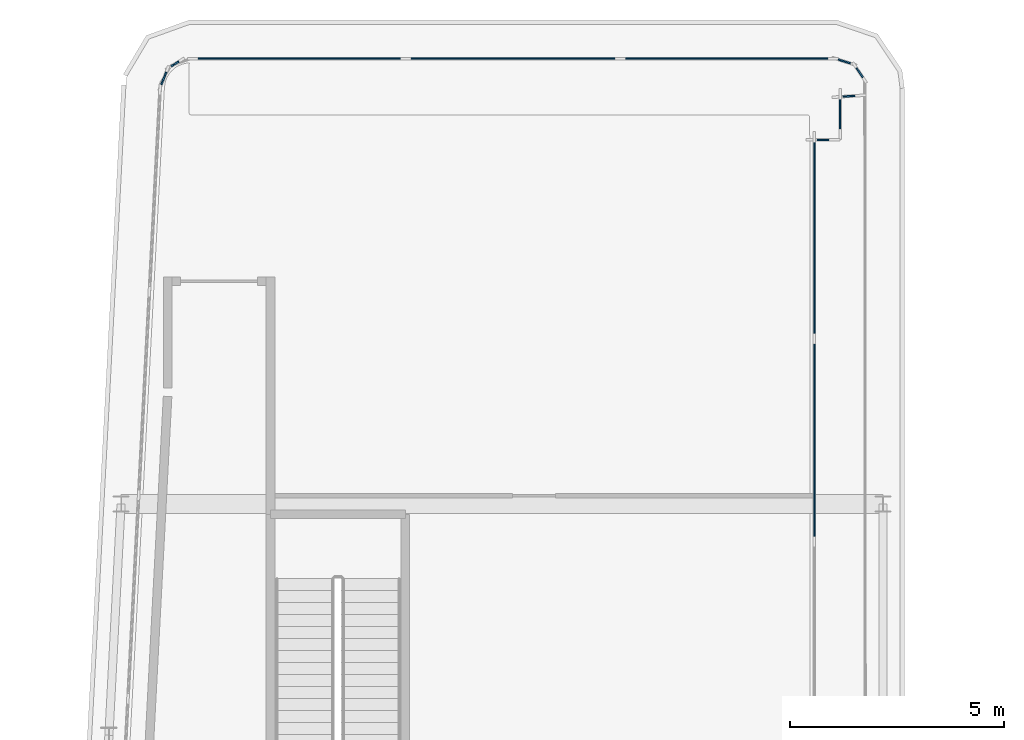
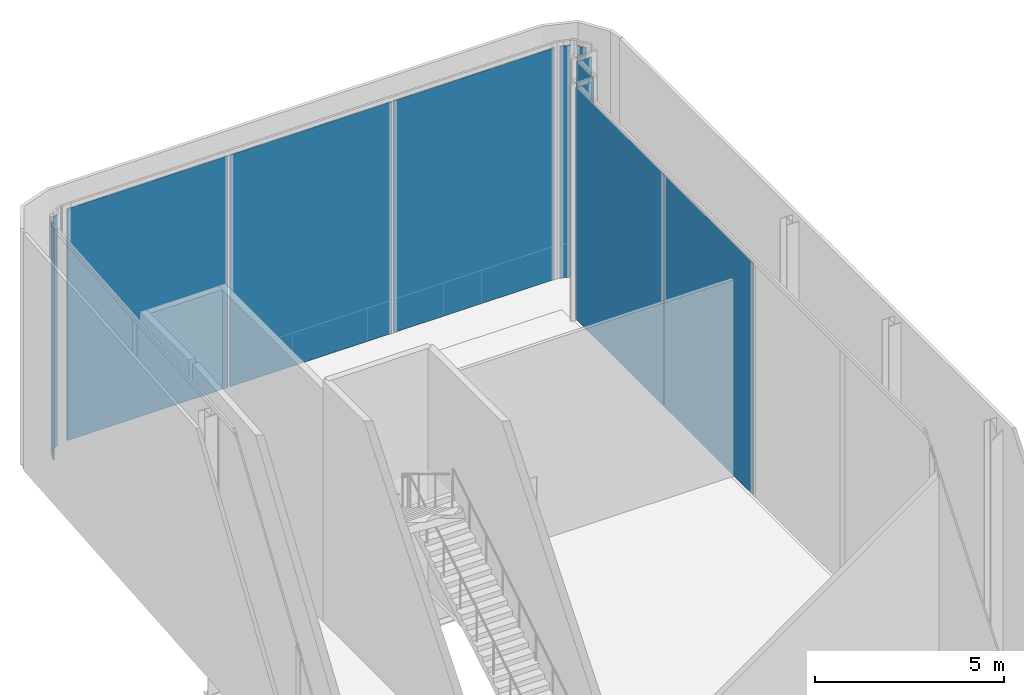
# One storey, part 15 of 23: 12 plates, 9 elements without a shape of their own.
"""IFC4 building model written with IfcOpenShell, lengths in metres."""

import ifcopenshell
import ifcopenshell.guid

model = None  # the IFC model being written
_history = None  # IfcOwnerHistory: only IFC2X3 demands one
_inside = {}  # id of a spatial element -> (the spatial element, [elements in it])
_under = {}  # id of a project, library or spatial element -> (it, [spatial elements below it])
_declared = {}  # id of a project -> (the project, [libraries it declares])
_typed = {}  # id of a type object -> (the type object, [elements of that type])
_made_of = {}  # id of a material, layer set ... -> (it, [elements and type objects made of it])


def new_model(schema):
    """Start an empty IFC model of exactly this schema.

    Asked for "IFC4X3", IfcOpenShell would pick the latest addendum, in which some entities
    have other attributes; the version numbers below select the first issue.
    IFC2X3 requires an IfcOwnerHistory on every rooted entity: one is made here for all.
    """
    global model, _history
    if schema == "IFC4X3":
        model = ifcopenshell.file(schema_version=(4, 3, 0, 0))
    else:
        model = ifcopenshell.file(schema=schema)
    _inside.clear()
    _under.clear()
    _declared.clear()
    _typed.clear()
    _made_of.clear()
    _history = None
    if model.schema == "IFC2X3":
        org = make("IfcOrganization", Name="unknown")
        user = make(
            "IfcPersonAndOrganization",
            ThePerson=make("IfcPerson", FamilyName="unknown"),
            TheOrganization=org,
        )
        app = make(
            "IfcApplication",
            ApplicationDeveloper=org,
            Version="unknown",
            ApplicationFullName="unknown",
            ApplicationIdentifier="unknown",
        )
        _history = make(
            "IfcOwnerHistory",
            OwningUser=user,
            OwningApplication=app,
            ChangeAction="ADDED",
            CreationDate=0,
        )
    return model


def make(cls, **values):
    """One entity of the class cls with the attributes given. An attribute that is None is left unset."""
    return model.create_entity(
        cls, **{name: value for name, value in values.items() if value is not None}
    )


def rooted(cls, **values):
    """An entity with a GlobalId (a new one), such as an element, a storey or a relation."""
    return make(cls, GlobalId=ifcopenshell.guid.new(), OwnerHistory=_history, **values)


def si_unit(unit_type, name, prefix=None):
    """IfcSIUnit, for example si_unit("LENGTHUNIT", "METRE", prefix="MILLI")."""
    return make("IfcSIUnit", UnitType=unit_type, Prefix=prefix, Name=name)


def assignment(units):
    """IfcUnitAssignment: the units of a project."""
    return None if units is None else make("IfcUnitAssignment", Units=units)


def point(xyz):
    """IfcCartesianPoint."""
    return None if xyz is None else make("IfcCartesianPoint", Coordinates=xyz)


def direction(xyz):
    """IfcDirection."""
    return None if xyz is None else make("IfcDirection", DirectionRatios=xyz)


def frame(location, z_axis=None, x_axis=None):
    """IfcAxis2Placement3D, a coordinate frame: its origin and axes. An axis left out is left unset."""
    return make(
        "IfcAxis2Placement3D",
        Location=point(location),
        Axis=direction(z_axis),
        RefDirection=direction(x_axis),
    )


def frame_2d(location, x_axis=None):
    """IfcAxis2Placement2D, a coordinate frame in the plane: its origin and x axis."""
    return make(
        "IfcAxis2Placement2D", Location=point(location), RefDirection=direction(x_axis)
    )


def origin():
    """The frame at (0, 0, 0) with its axes left unset."""
    return frame((0.0, 0.0, 0.0))


def origin_2d():
    """The frame at (0, 0) in the plane with its x axis left unset."""
    return frame_2d((0.0, 0.0))


def place(relative_to, where):
    """IfcLocalPlacement: puts the frame where relative to a parent placement (None: the world)."""
    return make(
        "IfcLocalPlacement", PlacementRelTo=relative_to, RelativePlacement=where
    )


def context(
    kind, dimensions, precision=None, world=None, true_north=None, identifier=None
):
    """IfcGeometricRepresentationContext, for example the 3D "Model" context."""
    return make(
        "IfcGeometricRepresentationContext",
        ContextIdentifier=identifier,
        ContextType=kind,
        CoordinateSpaceDimension=dimensions,
        Precision=precision,
        WorldCoordinateSystem=world,
        TrueNorth=true_north,
    )


def subcontext(parent, identifier, kind, view, scale=None):
    """IfcGeometricRepresentationSubContext, for example "Body" below "Model"."""
    return make(
        "IfcGeometricRepresentationSubContext",
        ContextIdentifier=identifier,
        ContextType=kind,
        ParentContext=parent,
        TargetScale=scale,
        TargetView=view,
    )


def project(units=None, contexts=None):
    """IfcProject with its units and contexts."""
    return rooted(
        "IfcProject",
        Name="project",
        RepresentationContexts=contexts,
        UnitsInContext=assignment(units),
    )


def spatial(cls, under=None, at=None, **own):
    """A site, building, storey or space (cls), placed at a placement, below another one or the project."""
    s = rooted(cls, ObjectPlacement=at, **own)
    if under is not None:
        _under.setdefault(under.id(), (under, []))[1].append(s)
    return s


def profile(cls, at=None, kind="AREA", **sizes):
    """A parametric profile (cls). Its sizes go by their IFC names, for example OverallWidth=200.0."""
    return make(cls, ProfileType=kind, Position=at, **sizes)


def rectangle(**sizes):
    """IfcRectangleProfileDef."""
    return profile("IfcRectangleProfileDef", **sizes)


def extrude(swept, where, along, depth):
    """IfcExtrudedAreaSolid: the profile swept, set in the frame where, extruded along a direction by depth."""
    return make(
        "IfcExtrudedAreaSolid",
        SweptArea=swept,
        Position=where,
        ExtrudedDirection=direction(along),
        Depth=depth,
    )


def shape(context_of_items, identifier, shape_type, items):
    """IfcShapeRepresentation: the items that make up one representation, for example the "Body"."""
    return make(
        "IfcShapeRepresentation",
        ContextOfItems=context_of_items,
        RepresentationIdentifier=identifier,
        RepresentationType=shape_type,
        Items=items,
    )


def material(Name=None, Category=None):
    """IfcMaterial."""
    return make("IfcMaterial", Name=Name, Category=Category)


def layer(
    of_material, thickness, ventilated=None, Name=None, Category=None, Priority=None
):
    """IfcMaterialLayer: one layer of a wall or slab, of a material (None: an air gap)."""
    return make(
        "IfcMaterialLayer",
        Material=of_material,
        LayerThickness=thickness,
        IsVentilated=ventilated,
        Name=Name,
        Category=Category,
        Priority=Priority,
    )


def layer_set(layers, Name=None):
    """IfcMaterialLayerSet."""
    return make("IfcMaterialLayerSet", MaterialLayers=layers, LayerSetName=Name)


def made_of(thing, what):
    """Note that an element or type object is made of a material, layer set ...; save() writes the relation."""
    if what is not None:
        _made_of.setdefault(what.id(), (what, []))[1].append(thing)
    return thing


def type_object(cls, material=None, **own):
    """A type object (cls), such as IfcWallType, which elements share."""
    return made_of(rooted(cls, **own), material)


def element(
    cls,
    number,
    at=None,
    inside=None,
    cuts=None,
    type_object=None,
    material=None,
    context=None,
    identifier="Body",
    shape_type=None,
    held_by="IfcProductDefinitionShape",
    body=None,
    shapes=None,
    **own,
):
    """One element of the class cls, such as IfcWall. Its Tag is "e" and its number.

    at: its placement. inside: the storey or other place that contains it. cuts: it is an
    opening in that element (IfcRelVoidsElement). A single representation is given by context,
    identifier, shape_type and body (its items); several are given by shapes. held_by: the class
    of the entity that holds the representations. save() writes the other relations.
    """
    e = rooted(cls, Tag="e%d" % number, ObjectPlacement=at, **own)
    if body is not None:
        shapes = [shape(context, identifier, shape_type, body)]
    if shapes is not None:
        e.Representation = make(held_by, Representations=shapes)
    if inside is not None:
        _inside.setdefault(inside.id(), (inside, []))[1].append(e)
    if cuts is not None:
        rooted(
            "IfcRelVoidsElement", RelatingBuildingElement=cuts, RelatedOpeningElement=e
        )
    if type_object is not None:
        _typed.setdefault(type_object.id(), (type_object, []))[1].append(e)
    return made_of(e, material)


def aggregate(whole, parts):
    """IfcRelAggregates: a whole, such as a stair, and the parts it consists of."""
    return rooted("IfcRelAggregates", RelatingObject=whole, RelatedObjects=parts)


def save(model, path):
    """Write the relations noted so far, then the file.

    IfcRelAggregates (storeys below a building ...), IfcRelContainedInSpatialStructure (elements
    in a storey), IfcRelDefinesByType, IfcRelAssociatesMaterial and IfcRelDeclares: one each for
    every whole, place, type object, material and project.
    """
    for whole, parts in _under.values():
        aggregate(whole, parts)
    for where, things in _inside.values():
        rooted(
            "IfcRelContainedInSpatialStructure",
            RelatedElements=things,
            RelatingStructure=where,
        )
    for kind, things in _typed.values():
        rooted("IfcRelDefinesByType", RelatedObjects=things, RelatingType=kind)
    for what, things in _made_of.values():
        rooted("IfcRelAssociatesMaterial", RelatedObjects=things, RelatingMaterial=what)
    for by, libraries in _declared.values():
        rooted("IfcRelDeclares", RelatingContext=by, RelatedDefinitions=libraries)
    model.write(path)


model = new_model("IFC4")

# Units and contexts
model_context = context("Model", 3, precision=1e-05, world=origin(), true_north=direction((0.0, 1.0)))
body_context = subcontext(model_context, "Body", "Model", "MODEL_VIEW")
ifc_project = project(units=[si_unit("LENGTHUNIT", "METRE"), si_unit("AREAUNIT", "SQUARE_METRE"), si_unit("VOLUMEUNIT", "CUBIC_METRE"), si_unit("PLANEANGLEUNIT", "RADIAN"), si_unit("MASSUNIT", "GRAM", prefix="KILO")], contexts=[model_context])

# Site, building, storey
site_placement = place(None, origin())
site = spatial("IfcSite", under=ifc_project, at=site_placement, CompositionType="ELEMENT")
building_placement = place(site_placement, origin())
building = spatial("IfcBuilding", under=site, at=building_placement, Name="Kheshtan School and Residences Tower", CompositionType="ELEMENT")
storey_placement = place(building_placement, frame((0.0, 0.0, 389.0)))
storey = spatial("IfcBuildingStorey", under=building, at=storey_placement, Name="L92", CompositionType="ELEMENT", Elevation=389.0)

# Curtain wall, plates
ifc_material = material(Name="Clear low-e glass in thermally broken aluminium frame", Category="aluminium")
ifc_layer_1 = layer(ifc_material, 0.25)
ifc_layer_set_1 = layer_set([ifc_layer_1], Name="Curtain wall CW-G")
curtain_wall_type_1 = type_object("IfcCurtainWallType", Name="Curtain wall CW-G", PredefinedType="NOTDEFINED", material=ifc_layer_set_1)
curtain_wall_1_placement = place(storey_placement, origin())
curtain_wall_1 = element("IfcCurtainWall", 1, at=curtain_wall_1_placement, inside=storey, type_object=curtain_wall_type_1, Name="Curtain wall CWG19b", PredefinedType="NOTDEFINED")
ifc_layer_2 = layer(ifc_material, 0.0380859375)
ifc_layer_set_2 = layer_set([ifc_layer_2], Name="CW-G glass panel")
plate_type_1 = type_object("IfcPlateType", Name="CW-G glass panel", PredefinedType="CURTAIN_PANEL", material=ifc_layer_set_2)
plate_1_placement = place(storey_placement, frame((46.0, 95.014892578125, 0.0), z_axis=(0.0, 0.0, 1.0), x_axis=(0.0, -1.0, 0.0)))
plate_1 = element("IfcPlate", 2, at=plate_1_placement, type_object=plate_type_1, Name="CWG19b panel 1.1", PredefinedType="CURTAIN_PANEL", context=body_context, shape_type="SweptSolid", body=[
    extrude(rectangle(XDim=4.64990234375, YDim=0.0380859375, at=origin_2d()), origin(), (0.0, 0.0, 1.0), 7.489990234375),
])
plate_2_placement = place(storey_placement, frame((46.0, 90.2900390625, 0.0), z_axis=(0.0, 0.0, 1.0), x_axis=(0.0, -1.0, 0.0)))
plate_2 = element("IfcPlate", 3, at=plate_2_placement, type_object=plate_type_1, Name="CWG19b panel 2.1", PredefinedType="CURTAIN_PANEL", context=body_context, shape_type="SweptSolid", body=[
    extrude(rectangle(XDim=4.679931640625, YDim=0.0380859375, at=origin_2d()), origin(), (0.0, 0.0, 1.0), 7.489990234375),
])
aggregate(curtain_wall_1, [plate_1, plate_2])

# Curtain wall, plate
ifc_layer_3 = layer(ifc_material, 0.25)
ifc_layer_set_3 = layer_set([ifc_layer_3], Name="Curtain wall CW-K")
curtain_wall_type_2 = type_object("IfcCurtainWallType", Name="Curtain wall CW-K", PredefinedType="NOTDEFINED", material=ifc_layer_set_3)
curtain_wall_2_placement = place(storey_placement, origin())
curtain_wall_2 = element("IfcCurtainWall", 4, at=curtain_wall_2_placement, inside=storey, type_object=curtain_wall_type_2, Name="Curtain wall CWK11a", PredefinedType="NOTDEFINED")
ifc_layer_4 = layer(ifc_material, 0.0380859375)
ifc_layer_set_4 = layer_set([ifc_layer_4], Name="CW-K glass panel")
plate_type_2 = type_object("IfcPlateType", Name="CW-K glass panel", PredefinedType="CURTAIN_PANEL", material=ifc_layer_set_4)
plate_3_placement = place(storey_placement, frame((30.8095703125, 98.739501953125, 0.0), z_axis=(0.0, 0.0, 1.0), x_axis=(0.370993348125, 0.928635523576, 0.0)))
plate_3 = element("IfcPlate", 5, at=plate_3_placement, type_object=plate_type_2, Name="CWK11a panel 1.1", PredefinedType="CURTAIN_PANEL", context=body_context, shape_type="SweptSolid", body=[
    extrude(rectangle(XDim=0.31396484375, YDim=0.0380859375, at=origin_2d()), origin(), (0.0, 0.0, 1.0), 7.489990234375),
])
aggregate(curtain_wall_2, [plate_3])

curtain_wall_3_placement = place(storey_placement, origin())
curtain_wall_3 = element("IfcCurtainWall", 6, at=curtain_wall_3_placement, inside=storey, type_object=curtain_wall_type_2, Name="Curtain wall CWK12a", PredefinedType="NOTDEFINED")
plate_4_placement = place(storey_placement, frame((31.069580078125, 99.07470703125, 0.0), z_axis=(0.0, 0.0, 1.0), x_axis=(0.851763497749, 0.52392646803, 0.0)))
plate_4 = element("IfcPlate", 7, at=plate_4_placement, type_object=plate_type_2, Name="CWK12a panel 1.1", PredefinedType="CURTAIN_PANEL", context=body_context, shape_type="SweptSolid", body=[
    extrude(rectangle(XDim=0.206298828125, YDim=0.0380859375, at=origin_2d()), origin(), (0.0, 0.0, 1.0), 7.489990234375),
])
aggregate(curtain_wall_3, [plate_4])

# Curtain wall, plates
curtain_wall_4_placement = place(storey_placement, origin())
curtain_wall_4 = element("IfcCurtainWall", 8, at=curtain_wall_4_placement, inside=storey, type_object=curtain_wall_type_2, Name="Curtain wall CWK13a", PredefinedType="NOTDEFINED")
plate_5_placement = place(storey_placement, frame((33.9716796875, 99.199951171875, 0.0), z_axis=(0.0, 0.0, 1.0), x_axis=(1.0, 0.0, 0.0)))
plate_5 = element("IfcPlate", 9, at=plate_5_placement, type_object=plate_type_2, Name="CWK13a panel 1.1", PredefinedType="CURTAIN_PANEL", context=body_context, shape_type="SweptSolid", body=[
    extrude(rectangle(XDim=4.915283203125, YDim=0.0380859375, at=origin_2d()), origin(), (0.0, 0.0, 1.0), 7.489990234375),
])
plate_6_placement = place(storey_placement, frame((38.9619140625, 99.199951171875, 0.0), z_axis=(0.0, 0.0, 1.0), x_axis=(1.0, 0.0, 0.0)))
plate_6 = element("IfcPlate", 10, at=plate_6_placement, type_object=plate_type_2, Name="CWK13a panel 2.1", PredefinedType="CURTAIN_PANEL", context=body_context, shape_type="SweptSolid", body=[
    extrude(rectangle(XDim=4.9453125, YDim=0.0380859375, at=origin_2d()), origin(), (0.0, 0.0, 1.0), 7.489990234375),
])
plate_7_placement = place(storey_placement, frame((43.952392578125, 99.199951171875, 0.0), z_axis=(0.0, 0.0, 1.0), x_axis=(1.0, 0.0, 0.0)))
plate_7 = element("IfcPlate", 11, at=plate_7_placement, type_object=plate_type_2, Name="CWK13a panel 3.1", PredefinedType="CURTAIN_PANEL", context=body_context, shape_type="SweptSolid", body=[
    extrude(rectangle(XDim=4.915283203125, YDim=0.0380859375, at=origin_2d()), origin(), (0.0, 0.0, 1.0), 7.489990234375),
])
aggregate(curtain_wall_4, [plate_5, plate_6, plate_7])

# Curtain wall, plate
curtain_wall_5_placement = place(storey_placement, origin())
curtain_wall_5 = element("IfcCurtainWall", 12, at=curtain_wall_5_placement, inside=storey, type_object=curtain_wall_type_2, Name="Curtain wall CWK14a", PredefinedType="NOTDEFINED")
plate_8_placement = place(storey_placement, frame((46.697998046875, 99.13232421875, 0.0), z_axis=(0.0, 0.0, 1.0), x_axis=(0.952703792543, -0.303900450271, 0.0)))
plate_8 = element("IfcPlate", 13, at=plate_8_placement, type_object=plate_type_2, Name="CWK14a panel 1.1", PredefinedType="CURTAIN_PANEL", context=body_context, shape_type="SweptSolid", body=[
    extrude(rectangle(XDim=0.294677734375, YDim=0.0380859375, at=origin_2d()), origin(), (0.0, 0.0, 1.0), 7.489990234375),
])
aggregate(curtain_wall_5, [plate_8])

curtain_wall_6_placement = place(storey_placement, origin())
curtain_wall_6 = element("IfcCurtainWall", 14, at=curtain_wall_6_placement, inside=storey, type_object=curtain_wall_type_2, Name="Curtain wall CWK15a", PredefinedType="NOTDEFINED")
plate_9_placement = place(storey_placement, frame((47.0546875, 98.8701171875, 0.0), z_axis=(0.0, 0.0, 1.0), x_axis=(0.555301678168, -0.831648992198, 0.0)))
plate_9 = element("IfcPlate", 15, at=plate_9_placement, type_object=plate_type_2, Name="CWK15a panel 1.1", PredefinedType="CURTAIN_PANEL", context=body_context, shape_type="SweptSolid", body=[
    extrude(rectangle(XDim=0.263671875, YDim=0.0380859375, at=origin_2d()), origin(), (0.0, 0.0, 1.0), 7.489990234375),
])
aggregate(curtain_wall_6, [plate_9])

curtain_wall_7_placement = place(storey_placement, origin())
curtain_wall_7 = element("IfcCurtainWall", 16, at=curtain_wall_7_placement, inside=storey, type_object=curtain_wall_type_2, Name="Curtain wall CWK16a", PredefinedType="NOTDEFINED")
plate_10_placement = place(storey_placement, frame((46.806396484375, 98.32080078125, 0.0), z_axis=(0.0, 0.0, 1.0), x_axis=(-0.997894170503, -0.06486312108, 0.0)))
plate_10 = element("IfcPlate", 17, at=plate_10_placement, type_object=plate_type_2, Name="CWK16a panel 1.1", PredefinedType="CURTAIN_PANEL", context=body_context, shape_type="SweptSolid", body=[
    extrude(rectangle(XDim=0.481201171875, YDim=0.0380859375, at=origin_2d()), origin(), (0.0, 0.0, 1.0), 7.489990234375),
])
aggregate(curtain_wall_7, [plate_10])

curtain_wall_8_placement = place(storey_placement, origin())
curtain_wall_8 = element("IfcCurtainWall", 18, at=curtain_wall_8_placement, inside=storey, type_object=curtain_wall_type_2, Name="Curtain wall CWK17a", PredefinedType="NOTDEFINED")
plate_11_placement = place(storey_placement, frame((46.60009765625, 97.900390625, 0.0), z_axis=(0.0, 0.0, 1.0), x_axis=(0.0, -1.0, 0.0)))
plate_11 = element("IfcPlate", 19, at=plate_11_placement, type_object=plate_type_2, Name="CWK17a panel 1.1", PredefinedType="CURTAIN_PANEL", context=body_context, shape_type="SweptSolid", body=[
    extrude(rectangle(XDim=0.881103515625, YDim=0.0380859375, at=origin_2d()), origin(), (0.0, 0.0, 1.0), 7.489990234375),
])
aggregate(curtain_wall_8, [plate_11])

curtain_wall_9_placement = place(storey_placement, origin())
curtain_wall_9 = element("IfcCurtainWall", 20, at=curtain_wall_9_placement, inside=storey, type_object=curtain_wall_type_2, Name="Curtain wall CWK18a", PredefinedType="NOTDEFINED")
plate_12_placement = place(storey_placement, frame((46.199951171875, 97.300048828125, 0.0), z_axis=(0.0, 0.0, 1.0), x_axis=(-1.0, 0.0, 0.0)))
plate_12 = element("IfcPlate", 21, at=plate_12_placement, type_object=plate_type_2, Name="CWK18a panel 1.1", PredefinedType="CURTAIN_PANEL", context=body_context, shape_type="SweptSolid", body=[
    extrude(rectangle(XDim=0.47998046875, YDim=0.0380859375, at=origin_2d()), origin(), (0.0, 0.0, 1.0), 7.489990234375),
])
aggregate(curtain_wall_9, [plate_12])

save(model, "model.ifc")
